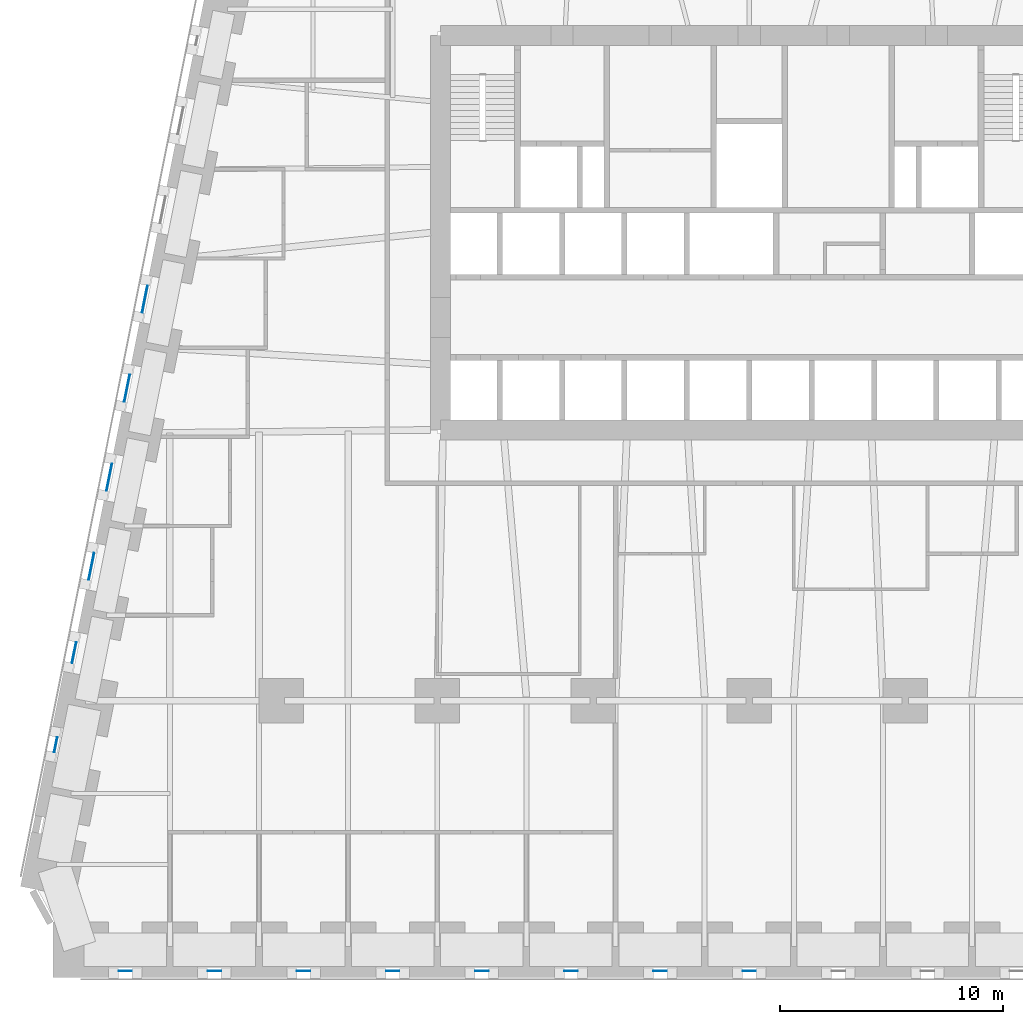
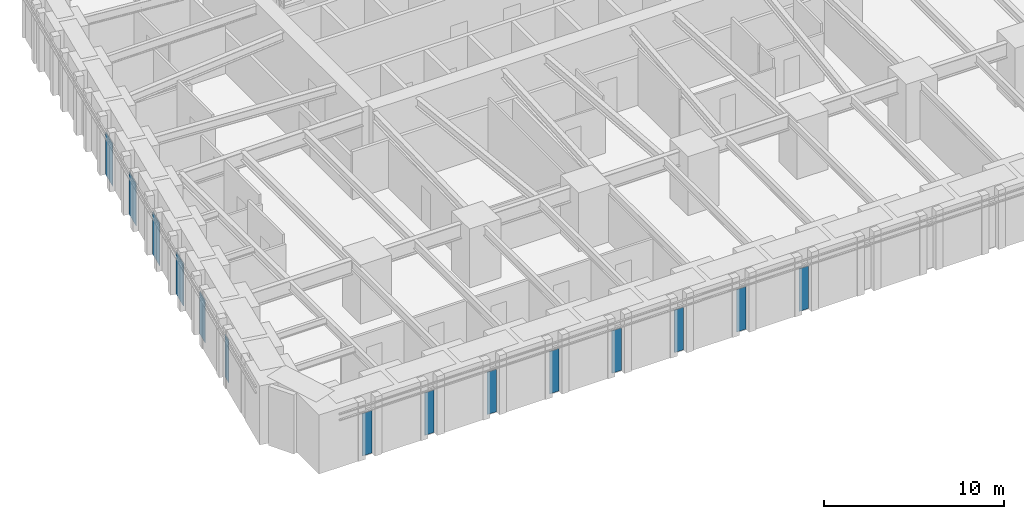
# One storey, part 6 of 16: 14 plates, 14 elements without a shape of their own.
"""IFC4 building model written with IfcOpenShell, lengths in metres."""

from ifc_helpers import new_model, si_unit, direction, frame, origin, origin_2d, place, context, subcontext, project, spatial, rectangle, extrude, material, layer, layer_set, type_object, element, aggregate, save


model = new_model("IFC4")

# Units and contexts
model_context = context("Model", 3, precision=1e-05, world=origin(), true_north=direction((0.0, 1.0)))
body_context = subcontext(model_context, "Body", "Model", "MODEL_VIEW")
ifc_project = project(units=[si_unit("LENGTHUNIT", "METRE"), si_unit("AREAUNIT", "SQUARE_METRE"), si_unit("VOLUMEUNIT", "CUBIC_METRE"), si_unit("PLANEANGLEUNIT", "RADIAN"), si_unit("MASSUNIT", "GRAM", prefix="KILO")], contexts=[model_context])

# Site, building, storey
site_placement = place(None, origin())
site = spatial("IfcSite", under=ifc_project, at=site_placement, CompositionType="ELEMENT")
building_placement = place(site_placement, origin())
building = spatial("IfcBuilding", under=site, at=building_placement, Name="Isbrekke Arena Tower", CompositionType="ELEMENT")
storey_placement = place(building_placement, frame((0.0, 0.0, 52.0)))
storey = spatial("IfcBuildingStorey", under=building, at=storey_placement, Name="L10", CompositionType="ELEMENT", Elevation=52.0)

# Curtain wall, plate
ifc_material_1 = material(Name="Glazed aluminium curtain wall", Category="aluminium")
curtain_wall_type = type_object("IfcCurtainWallType", Name="CWL TOWER CURTAIN WALL LOW ZONE", PredefinedType="USERDEFINED", material=ifc_material_1)
curtain_wall_1_placement = place(storey_placement, origin())
curtain_wall_1 = element("IfcCurtainWall", 1, at=curtain_wall_1_placement, inside=storey, type_object=curtain_wall_type, Name="CWL curtain wall L10-S", ObjectType="TOWER CURTAIN WALL LOW ZONE", PredefinedType="USERDEFINED")
ifc_material_2 = material(Name="Triple-glazed clear glass unit", Category="glass")
ifc_layer = layer(ifc_material_2, 0.031982421875)
ifc_layer_set = layer_set([ifc_layer], Name="CWL-P VISION PANEL")
plate_type = type_object("IfcPlateType", Name="CWL-P VISION PANEL", PredefinedType="CURTAIN_PANEL", material=ifc_layer_set)
plate_1_placement = place(storey_placement, frame((-28.0009765625, -18.125, 0.02001953125), z_axis=(0.0, 0.0, 1.0), x_axis=(1.0, 0.0, 0.0)))
plate_1 = element("IfcPlate", 2, at=plate_1_placement, type_object=plate_type, Name="CWL-P panel 1", PredefinedType="CURTAIN_PANEL", context=body_context, shape_type="SweptSolid", body=[
    extrude(rectangle(XDim=0.60205078125, YDim=0.031982421875, at=origin_2d()), origin(), (0.0, 0.0, 1.0), 2.8798828125),
])
aggregate(curtain_wall_1, [plate_1])

curtain_wall_2_placement = place(storey_placement, origin())
curtain_wall_2 = element("IfcCurtainWall", 3, at=curtain_wall_2_placement, inside=storey, type_object=curtain_wall_type, Name="CWL curtain wall L10-S3", ObjectType="TOWER CURTAIN WALL LOW ZONE", PredefinedType="USERDEFINED")
plate_2_placement = place(storey_placement, frame((-24.0, -18.125, 0.02001953125), z_axis=(0.0, 0.0, 1.0), x_axis=(1.0, 0.0, 0.0)))
plate_2 = element("IfcPlate", 4, at=plate_2_placement, type_object=plate_type, Name="CWL-P panel 1", PredefinedType="CURTAIN_PANEL", context=body_context, shape_type="SweptSolid", body=[
    extrude(rectangle(XDim=0.60009765625, YDim=0.031982421875, at=origin_2d()), origin(), (0.0, 0.0, 1.0), 2.8798828125),
])
aggregate(curtain_wall_2, [plate_2])

curtain_wall_3_placement = place(storey_placement, origin())
curtain_wall_3 = element("IfcCurtainWall", 5, at=curtain_wall_3_placement, inside=storey, type_object=curtain_wall_type, Name="CWL curtain wall L10-S5", ObjectType="TOWER CURTAIN WALL LOW ZONE", PredefinedType="USERDEFINED")
plate_3_placement = place(storey_placement, frame((-20.0, -18.125, 0.02001953125), z_axis=(0.0, 0.0, 1.0), x_axis=(1.0, 0.0, 0.0)))
plate_3 = element("IfcPlate", 6, at=plate_3_placement, type_object=plate_type, Name="CWL-P panel 1", PredefinedType="CURTAIN_PANEL", context=body_context, shape_type="SweptSolid", body=[
    extrude(rectangle(XDim=0.60009765625, YDim=0.031982421875, at=origin_2d()), origin(), (0.0, 0.0, 1.0), 2.8798828125),
])
aggregate(curtain_wall_3, [plate_3])

curtain_wall_4_placement = place(storey_placement, origin())
curtain_wall_4 = element("IfcCurtainWall", 7, at=curtain_wall_4_placement, inside=storey, type_object=curtain_wall_type, Name="CWL curtain wall L10-S7", ObjectType="TOWER CURTAIN WALL LOW ZONE", PredefinedType="USERDEFINED")
plate_4_placement = place(storey_placement, frame((-16.0, -18.125, 0.02001953125), z_axis=(0.0, 0.0, 1.0), x_axis=(1.0, 0.0, 0.0)))
plate_4 = element("IfcPlate", 8, at=plate_4_placement, type_object=plate_type, Name="CWL-P panel 1", PredefinedType="CURTAIN_PANEL", context=body_context, shape_type="SweptSolid", body=[
    extrude(rectangle(XDim=0.60009765625, YDim=0.031982421875, at=origin_2d()), origin(), (0.0, 0.0, 1.0), 2.8798828125),
])
aggregate(curtain_wall_4, [plate_4])

curtain_wall_5_placement = place(storey_placement, origin())
curtain_wall_5 = element("IfcCurtainWall", 9, at=curtain_wall_5_placement, inside=storey, type_object=curtain_wall_type, Name="CWL curtain wall L10-S9", ObjectType="TOWER CURTAIN WALL LOW ZONE", PredefinedType="USERDEFINED")
plate_5_placement = place(storey_placement, frame((-12.0, -18.125, 0.02001953125), z_axis=(0.0, 0.0, 1.0), x_axis=(1.0, 0.0, 0.0)))
plate_5 = element("IfcPlate", 10, at=plate_5_placement, type_object=plate_type, Name="CWL-P panel 1", PredefinedType="CURTAIN_PANEL", context=body_context, shape_type="SweptSolid", body=[
    extrude(rectangle(XDim=0.60009765625, YDim=0.031982421875, at=origin_2d()), origin(), (0.0, 0.0, 1.0), 2.8798828125),
])
aggregate(curtain_wall_5, [plate_5])

curtain_wall_6_placement = place(storey_placement, origin())
curtain_wall_6 = element("IfcCurtainWall", 11, at=curtain_wall_6_placement, inside=storey, type_object=curtain_wall_type, Name="CWL curtain wall L10-S11", ObjectType="TOWER CURTAIN WALL LOW ZONE", PredefinedType="USERDEFINED")
plate_6_placement = place(storey_placement, frame((-8.0, -18.125, 0.02001953125), z_axis=(0.0, 0.0, 1.0), x_axis=(1.0, 0.0, 0.0)))
plate_6 = element("IfcPlate", 12, at=plate_6_placement, type_object=plate_type, Name="CWL-P panel 1", PredefinedType="CURTAIN_PANEL", context=body_context, shape_type="SweptSolid", body=[
    extrude(rectangle(XDim=0.60009765625, YDim=0.031982421875, at=origin_2d()), origin(), (0.0, 0.0, 1.0), 2.8798828125),
])
aggregate(curtain_wall_6, [plate_6])

curtain_wall_7_placement = place(storey_placement, origin())
curtain_wall_7 = element("IfcCurtainWall", 13, at=curtain_wall_7_placement, inside=storey, type_object=curtain_wall_type, Name="CWL curtain wall L10-S13", ObjectType="TOWER CURTAIN WALL LOW ZONE", PredefinedType="USERDEFINED")
plate_7_placement = place(storey_placement, frame((-4.0, -18.125, 0.02001953125), z_axis=(0.0, 0.0, 1.0), x_axis=(1.0, 0.0, 0.0)))
plate_7 = element("IfcPlate", 14, at=plate_7_placement, type_object=plate_type, Name="CWL-P panel 1", PredefinedType="CURTAIN_PANEL", context=body_context, shape_type="SweptSolid", body=[
    extrude(rectangle(XDim=0.60009765625, YDim=0.031982421875, at=origin_2d()), origin(), (0.0, 0.0, 1.0), 2.8798828125),
])
aggregate(curtain_wall_7, [plate_7])

curtain_wall_8_placement = place(storey_placement, origin())
curtain_wall_8 = element("IfcCurtainWall", 15, at=curtain_wall_8_placement, inside=storey, type_object=curtain_wall_type, Name="CWL curtain wall L10-S15", ObjectType="TOWER CURTAIN WALL LOW ZONE", PredefinedType="USERDEFINED")
plate_8_placement = place(storey_placement, frame((0.0, -18.125, 0.02001953125), z_axis=(0.0, 0.0, 1.0), x_axis=(1.0, 0.0, 0.0)))
plate_8 = element("IfcPlate", 16, at=plate_8_placement, type_object=plate_type, Name="CWL-P panel 1", PredefinedType="CURTAIN_PANEL", context=body_context, shape_type="SweptSolid", body=[
    extrude(rectangle(XDim=0.60009765625, YDim=0.031982421875, at=origin_2d()), origin(), (0.0, 0.0, 1.0), 2.8798828125),
])
aggregate(curtain_wall_8, [plate_8])

curtain_wall_9_placement = place(storey_placement, origin())
curtain_wall_9 = element("IfcCurtainWall", 17, at=curtain_wall_9_placement, inside=storey, type_object=curtain_wall_type, Name="CWL curtain wall L10-W7", ObjectType="TOWER CURTAIN WALL LOW ZONE", PredefinedType="USERDEFINED")
plate_9_placement = place(storey_placement, frame((-27.12255859375, 12.0244140625, 0.02001953125), z_axis=(0.0, 0.0, 1.0), x_axis=(-0.196116135138, -0.980580675691, 0.0)))
plate_9 = element("IfcPlate", 18, at=plate_9_placement, type_object=plate_type, Name="CWL-P panel 1", PredefinedType="CURTAIN_PANEL", context=body_context, shape_type="SweptSolid", body=[
    extrude(rectangle(XDim=1.229248046875, YDim=0.031982421875, at=origin_2d()), origin(), (0.0, 0.0, 1.0), 2.8798828125),
])
aggregate(curtain_wall_9, [plate_9])

curtain_wall_10_placement = place(storey_placement, origin())
curtain_wall_10 = element("IfcCurtainWall", 19, at=curtain_wall_10_placement, inside=storey, type_object=curtain_wall_type, Name="CWL curtain wall L10-W9", ObjectType="TOWER CURTAIN WALL LOW ZONE", PredefinedType="USERDEFINED")
plate_10_placement = place(storey_placement, frame((-27.922607421875, 8.0244140625, 0.02001953125), z_axis=(0.0, 0.0, 1.0), x_axis=(-0.196116135138, -0.980580675691, 0.0)))
plate_10 = element("IfcPlate", 20, at=plate_10_placement, type_object=plate_type, Name="CWL-P panel 1", PredefinedType="CURTAIN_PANEL", context=body_context, shape_type="SweptSolid", body=[
    extrude(rectangle(XDim=1.229248046875, YDim=0.031982421875, at=origin_2d()), origin(), (0.0, 0.0, 1.0), 2.8798828125),
])
aggregate(curtain_wall_10, [plate_10])

curtain_wall_11_placement = place(storey_placement, origin())
curtain_wall_11 = element("IfcCurtainWall", 21, at=curtain_wall_11_placement, inside=storey, type_object=curtain_wall_type, Name="CWL curtain wall L10-W11", ObjectType="TOWER CURTAIN WALL LOW ZONE", PredefinedType="USERDEFINED")
plate_11_placement = place(storey_placement, frame((-28.72265625, 4.0244140625, 0.02001953125), z_axis=(0.0, 0.0, 1.0), x_axis=(-0.196116135138, -0.980580675691, 0.0)))
plate_11 = element("IfcPlate", 22, at=plate_11_placement, type_object=plate_type, Name="CWL-P panel 1", PredefinedType="CURTAIN_PANEL", context=body_context, shape_type="SweptSolid", body=[
    extrude(rectangle(XDim=1.229248046875, YDim=0.031982421875, at=origin_2d()), origin(), (0.0, 0.0, 1.0), 2.8798828125),
])
aggregate(curtain_wall_11, [plate_11])

curtain_wall_12_placement = place(storey_placement, origin())
curtain_wall_12 = element("IfcCurtainWall", 23, at=curtain_wall_12_placement, inside=storey, type_object=curtain_wall_type, Name="CWL curtain wall L10-W13", ObjectType="TOWER CURTAIN WALL LOW ZONE", PredefinedType="USERDEFINED")
plate_12_placement = place(storey_placement, frame((-29.5224609375, 0.0244140625, 0.02001953125), z_axis=(0.0, 0.0, 1.0), x_axis=(-0.196116135138, -0.980580675691, 0.0)))
plate_12 = element("IfcPlate", 24, at=plate_12_placement, type_object=plate_type, Name="CWL-P panel 1", PredefinedType="CURTAIN_PANEL", context=body_context, shape_type="SweptSolid", body=[
    extrude(rectangle(XDim=1.229248046875, YDim=0.031982421875, at=origin_2d()), origin(), (0.0, 0.0, 1.0), 2.8798828125),
])
aggregate(curtain_wall_12, [plate_12])

curtain_wall_13_placement = place(storey_placement, origin())
curtain_wall_13 = element("IfcCurtainWall", 25, at=curtain_wall_13_placement, inside=storey, type_object=curtain_wall_type, Name="CWL curtain wall L10-W15", ObjectType="TOWER CURTAIN WALL LOW ZONE", PredefinedType="USERDEFINED")
plate_13_placement = place(storey_placement, frame((-30.295654296875, -3.840576171875, 0.02001953125), z_axis=(0.0, 0.0, 1.0), x_axis=(-0.196116135138, -0.980580675691, 0.0)))
plate_13 = element("IfcPlate", 26, at=plate_13_placement, type_object=plate_type, Name="CWL-P panel 1", PredefinedType="CURTAIN_PANEL", context=body_context, shape_type="SweptSolid", body=[
    extrude(rectangle(XDim=0.9541015625, YDim=0.031982421875, at=origin_2d()), origin(), (0.0, 0.0, 1.0), 2.8798828125),
])
aggregate(curtain_wall_13, [plate_13])

curtain_wall_14_placement = place(storey_placement, origin())
curtain_wall_14 = element("IfcCurtainWall", 27, at=curtain_wall_14_placement, inside=storey, type_object=curtain_wall_type, Name="CWL curtain wall L10-W17", ObjectType="TOWER CURTAIN WALL LOW ZONE", PredefinedType="USERDEFINED")
plate_14_placement = place(storey_placement, frame((-31.12255859375, -7.9755859375, 0.02001953125), z_axis=(0.0, 0.0, 1.0), x_axis=(-0.196116135138, -0.980580675691, 0.0)))
plate_14 = element("IfcPlate", 28, at=plate_14_placement, type_object=plate_type, Name="CWL-P panel 1", PredefinedType="CURTAIN_PANEL", context=body_context, shape_type="SweptSolid", body=[
    extrude(rectangle(XDim=0.67919921875, YDim=0.031982421875, at=origin_2d()), origin(), (0.0, 0.0, 1.0), 2.8798828125),
])
aggregate(curtain_wall_14, [plate_14])

save(model, "model.ifc")
